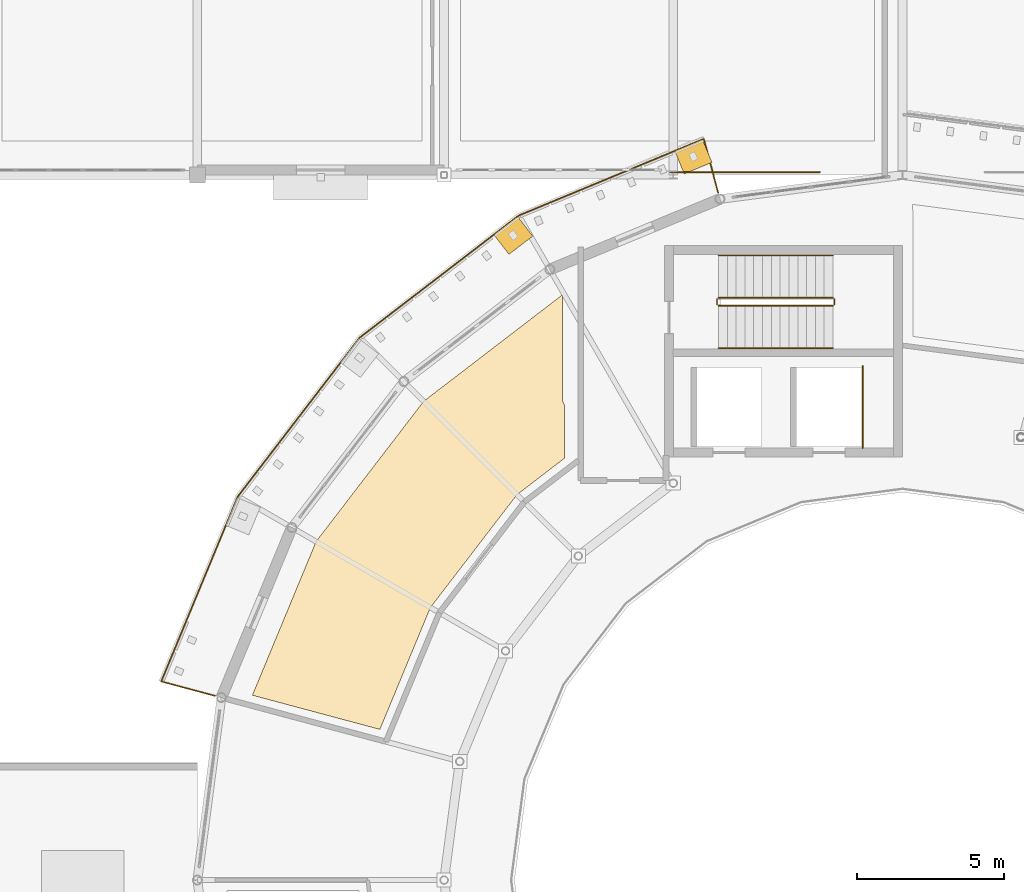
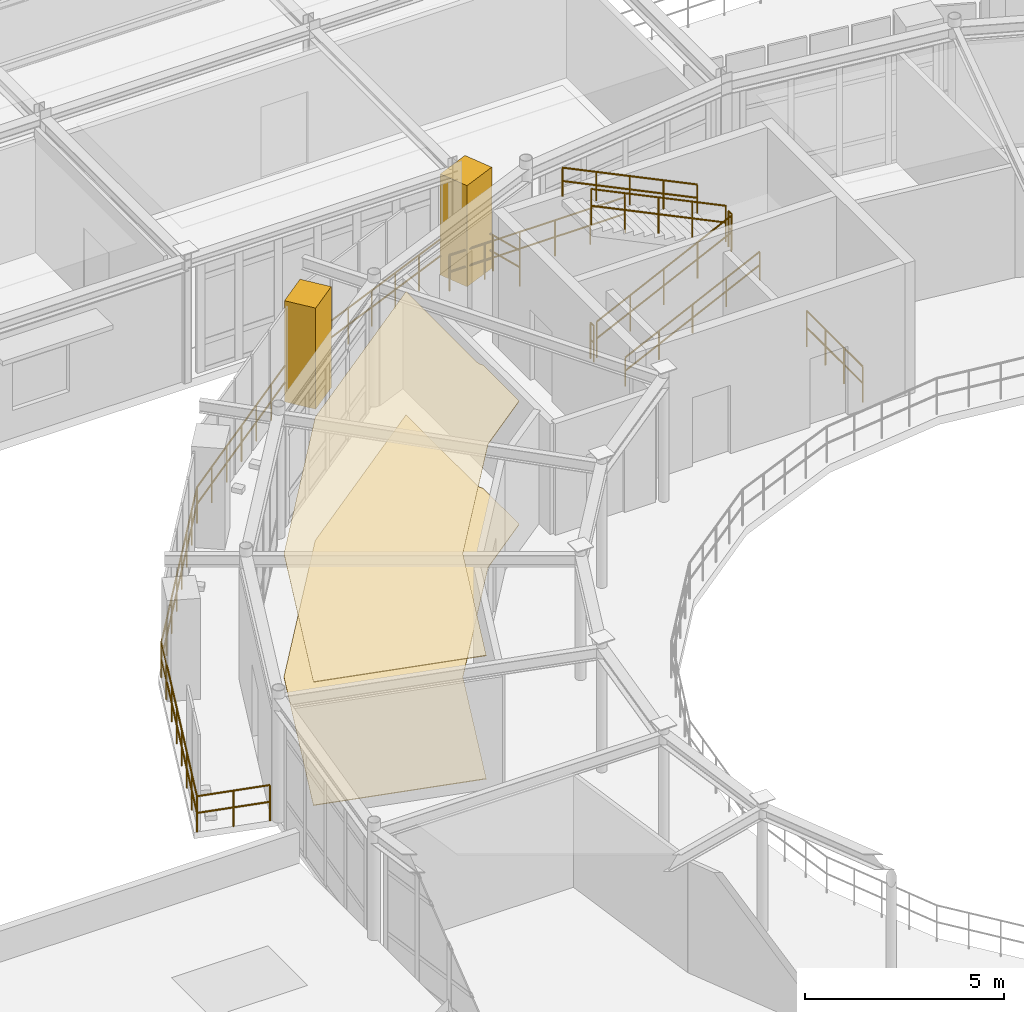
# One storey, part 67 of 70: 9 railings, 2 coverings, 2 shading devices.
"""IFC4 building model written with IfcOpenShell, lengths in metres."""

import ifcopenshell
import ifcopenshell.guid

model = None  # the IFC model being written
_history = None  # IfcOwnerHistory: only IFC2X3 demands one
_inside = {}  # id of a spatial element -> (the spatial element, [elements in it])
_under = {}  # id of a project, library or spatial element -> (it, [spatial elements below it])
_declared = {}  # id of a project -> (the project, [libraries it declares])
_typed = {}  # id of a type object -> (the type object, [elements of that type])
_made_of = {}  # id of a material, layer set ... -> (it, [elements and type objects made of it])


def new_model(schema):
    """Start an empty IFC model of exactly this schema.

    Asked for "IFC4X3", IfcOpenShell would pick the latest addendum, in which some entities
    have other attributes; the version numbers below select the first issue.
    IFC2X3 requires an IfcOwnerHistory on every rooted entity: one is made here for all.
    """
    global model, _history
    if schema == "IFC4X3":
        model = ifcopenshell.file(schema_version=(4, 3, 0, 0))
    else:
        model = ifcopenshell.file(schema=schema)
    _inside.clear()
    _under.clear()
    _declared.clear()
    _typed.clear()
    _made_of.clear()
    _history = None
    if model.schema == "IFC2X3":
        org = make("IfcOrganization", Name="unknown")
        user = make(
            "IfcPersonAndOrganization",
            ThePerson=make("IfcPerson", FamilyName="unknown"),
            TheOrganization=org,
        )
        app = make(
            "IfcApplication",
            ApplicationDeveloper=org,
            Version="unknown",
            ApplicationFullName="unknown",
            ApplicationIdentifier="unknown",
        )
        _history = make(
            "IfcOwnerHistory",
            OwningUser=user,
            OwningApplication=app,
            ChangeAction="ADDED",
            CreationDate=0,
        )
    return model


def make(cls, **values):
    """One entity of the class cls with the attributes given. An attribute that is None is left unset."""
    return model.create_entity(
        cls, **{name: value for name, value in values.items() if value is not None}
    )


def rooted(cls, **values):
    """An entity with a GlobalId (a new one), such as an element, a storey or a relation."""
    return make(cls, GlobalId=ifcopenshell.guid.new(), OwnerHistory=_history, **values)


def si_unit(unit_type, name, prefix=None):
    """IfcSIUnit, for example si_unit("LENGTHUNIT", "METRE", prefix="MILLI")."""
    return make("IfcSIUnit", UnitType=unit_type, Prefix=prefix, Name=name)


def derived_unit(unit_type, elements):
    """IfcDerivedUnit: a product of units, each with its exponent."""
    return make(
        "IfcDerivedUnit",
        Elements=[
            make("IfcDerivedUnitElement", Unit=unit, Exponent=power)
            for unit, power in elements
        ],
        UnitType=unit_type,
    )


def assignment(units):
    """IfcUnitAssignment: the units of a project."""
    return None if units is None else make("IfcUnitAssignment", Units=units)


def point(xyz):
    """IfcCartesianPoint."""
    return None if xyz is None else make("IfcCartesianPoint", Coordinates=xyz)


def direction(xyz):
    """IfcDirection."""
    return None if xyz is None else make("IfcDirection", DirectionRatios=xyz)


def frame(location, z_axis=None, x_axis=None):
    """IfcAxis2Placement3D, a coordinate frame: its origin and axes. An axis left out is left unset."""
    return make(
        "IfcAxis2Placement3D",
        Location=point(location),
        Axis=direction(z_axis),
        RefDirection=direction(x_axis),
    )


def frame_2d(location, x_axis=None):
    """IfcAxis2Placement2D, a coordinate frame in the plane: its origin and x axis."""
    return make(
        "IfcAxis2Placement2D", Location=point(location), RefDirection=direction(x_axis)
    )


def origin():
    """The frame at (0, 0, 0) with its axes left unset."""
    return frame((0.0, 0.0, 0.0))


def origin_2d():
    """The frame at (0, 0) in the plane with its x axis left unset."""
    return frame_2d((0.0, 0.0))


def place(relative_to, where):
    """IfcLocalPlacement: puts the frame where relative to a parent placement (None: the world)."""
    return make(
        "IfcLocalPlacement", PlacementRelTo=relative_to, RelativePlacement=where
    )


def context(
    kind, dimensions, precision=None, world=None, true_north=None, identifier=None
):
    """IfcGeometricRepresentationContext, for example the 3D "Model" context."""
    return make(
        "IfcGeometricRepresentationContext",
        ContextIdentifier=identifier,
        ContextType=kind,
        CoordinateSpaceDimension=dimensions,
        Precision=precision,
        WorldCoordinateSystem=world,
        TrueNorth=true_north,
    )


def subcontext(parent, identifier, kind, view, scale=None):
    """IfcGeometricRepresentationSubContext, for example "Body" below "Model"."""
    return make(
        "IfcGeometricRepresentationSubContext",
        ContextIdentifier=identifier,
        ContextType=kind,
        ParentContext=parent,
        TargetScale=scale,
        TargetView=view,
    )


def project(units=None, contexts=None):
    """IfcProject with its units and contexts."""
    return rooted(
        "IfcProject",
        Name="project",
        RepresentationContexts=contexts,
        UnitsInContext=assignment(units),
    )


def spatial(cls, under=None, at=None, **own):
    """A site, building, storey or space (cls), placed at a placement, below another one or the project."""
    s = rooted(cls, ObjectPlacement=at, **own)
    if under is not None:
        _under.setdefault(under.id(), (under, []))[1].append(s)
    return s


def polyline(points):
    """IfcPolyline through the points."""
    return make("IfcPolyline", Points=[point(p) for p in points])


def profile(cls, at=None, kind="AREA", **sizes):
    """A parametric profile (cls). Its sizes go by their IFC names, for example OverallWidth=200.0."""
    return make(cls, ProfileType=kind, Position=at, **sizes)


def rectangle(**sizes):
    """IfcRectangleProfileDef."""
    return profile("IfcRectangleProfileDef", **sizes)


def circle(**sizes):
    """IfcCircleProfileDef."""
    return profile("IfcCircleProfileDef", **sizes)


def outline(outer, holes=None, kind="AREA"):
    """IfcArbitraryClosedProfileDef: a profile drawn as a closed curve; with holes, ...WithVoids."""
    if holes is None:
        return make("IfcArbitraryClosedProfileDef", ProfileType=kind, OuterCurve=outer)
    return make(
        "IfcArbitraryProfileDefWithVoids",
        ProfileType=kind,
        OuterCurve=outer,
        InnerCurves=holes,
    )


def extrude(swept, where, along, depth):
    """IfcExtrudedAreaSolid: the profile swept, set in the frame where, extruded along a direction by depth."""
    return make(
        "IfcExtrudedAreaSolid",
        SweptArea=swept,
        Position=where,
        ExtrudedDirection=direction(along),
        Depth=depth,
    )


def shape(context_of_items, identifier, shape_type, items):
    """IfcShapeRepresentation: the items that make up one representation, for example the "Body"."""
    return make(
        "IfcShapeRepresentation",
        ContextOfItems=context_of_items,
        RepresentationIdentifier=identifier,
        RepresentationType=shape_type,
        Items=items,
    )


def material(Name=None, Category=None):
    """IfcMaterial."""
    return make("IfcMaterial", Name=Name, Category=Category)


def layer(
    of_material, thickness, ventilated=None, Name=None, Category=None, Priority=None
):
    """IfcMaterialLayer: one layer of a wall or slab, of a material (None: an air gap)."""
    return make(
        "IfcMaterialLayer",
        Material=of_material,
        LayerThickness=thickness,
        IsVentilated=ventilated,
        Name=Name,
        Category=Category,
        Priority=Priority,
    )


def layer_set(layers, Name=None):
    """IfcMaterialLayerSet."""
    return make("IfcMaterialLayerSet", MaterialLayers=layers, LayerSetName=Name)


def made_of(thing, what):
    """Note that an element or type object is made of a material, layer set ...; save() writes the relation."""
    if what is not None:
        _made_of.setdefault(what.id(), (what, []))[1].append(thing)
    return thing


def type_object(cls, material=None, **own):
    """A type object (cls), such as IfcWallType, which elements share."""
    return made_of(rooted(cls, **own), material)


def element(
    cls,
    number,
    at=None,
    inside=None,
    cuts=None,
    type_object=None,
    material=None,
    context=None,
    identifier="Body",
    shape_type=None,
    held_by="IfcProductDefinitionShape",
    body=None,
    shapes=None,
    **own,
):
    """One element of the class cls, such as IfcWall. Its Tag is "e" and its number.

    at: its placement. inside: the storey or other place that contains it. cuts: it is an
    opening in that element (IfcRelVoidsElement). A single representation is given by context,
    identifier, shape_type and body (its items); several are given by shapes. held_by: the class
    of the entity that holds the representations. save() writes the other relations.
    """
    e = rooted(cls, Tag="e%d" % number, ObjectPlacement=at, **own)
    if body is not None:
        shapes = [shape(context, identifier, shape_type, body)]
    if shapes is not None:
        e.Representation = make(held_by, Representations=shapes)
    if inside is not None:
        _inside.setdefault(inside.id(), (inside, []))[1].append(e)
    if cuts is not None:
        rooted(
            "IfcRelVoidsElement", RelatingBuildingElement=cuts, RelatedOpeningElement=e
        )
    if type_object is not None:
        _typed.setdefault(type_object.id(), (type_object, []))[1].append(e)
    return made_of(e, material)


def aggregate(whole, parts):
    """IfcRelAggregates: a whole, such as a stair, and the parts it consists of."""
    return rooted("IfcRelAggregates", RelatingObject=whole, RelatedObjects=parts)


def save(model, path):
    """Write the relations noted so far, then the file.

    IfcRelAggregates (storeys below a building ...), IfcRelContainedInSpatialStructure (elements
    in a storey), IfcRelDefinesByType, IfcRelAssociatesMaterial and IfcRelDeclares: one each for
    every whole, place, type object, material and project.
    """
    for whole, parts in _under.values():
        aggregate(whole, parts)
    for where, things in _inside.values():
        rooted(
            "IfcRelContainedInSpatialStructure",
            RelatedElements=things,
            RelatingStructure=where,
        )
    for kind, things in _typed.values():
        rooted("IfcRelDefinesByType", RelatedObjects=things, RelatingType=kind)
    for what, things in _made_of.values():
        rooted("IfcRelAssociatesMaterial", RelatedObjects=things, RelatingMaterial=what)
    for by, libraries in _declared.values():
        rooted("IfcRelDeclares", RelatingContext=by, RelatedDefinitions=libraries)
    model.write(path)


model = new_model("IFC4")

# Units and contexts
model_context = context("Model", 3, precision=1e-05, world=origin(), true_north=direction((0.0, 1.0)))
body_context = subcontext(model_context, "Body", "Model", "MODEL_VIEW")
ifc_project = project(units=[si_unit("LENGTHUNIT", "METRE"), si_unit("AREAUNIT", "SQUARE_METRE"), si_unit("VOLUMEUNIT", "CUBIC_METRE"), si_unit("PLANEANGLEUNIT", "RADIAN"), si_unit("MASSUNIT", "GRAM", prefix="KILO"), derived_unit("THERMALTRANSMITTANCEUNIT", [(si_unit("POWERUNIT", "WATT"), 1), (si_unit("AREAUNIT", "SQUARE_METRE"), -1), (si_unit("THERMODYNAMICTEMPERATUREUNIT", "KELVIN"), -1)])], contexts=[model_context])

# Site, building, storey
site_placement = place(None, origin())
site = spatial("IfcSite", under=ifc_project, at=site_placement, CompositionType="ELEMENT")
building_placement = place(site_placement, origin())
building = spatial("IfcBuilding", under=site, at=building_placement, Name="Yasenodar Specialist Clinic", CompositionType="ELEMENT")
storey_placement = place(building_placement, frame((0.0, 0.0, 13.199951171875)))
storey = spatial("IfcBuildingStorey", under=building, at=storey_placement, Name="L03", CompositionType="ELEMENT", Elevation=13.199951171875)

# Coverings
ifc_material_1 = material(Name="Hygienic Acoustic Mineral-Fibre Ceiling")
ifc_layer_1 = layer(ifc_material_1, 0.02490234375)
ifc_layer_set_1 = layer_set([ifc_layer_1], Name="Hygienic Acoustic Mineral-Fibre Ceiling")
covering_type_1 = type_object("IfcCoveringType", Name="COV-CEIL-AC", PredefinedType="CEILING", material=ifc_layer_set_1)
covering_1_placement = place(storey_placement, frame((0.0, 0.0, 3.775146484375)))
element("IfcCovering", 1, at=covering_1_placement, inside=storey, type_object=covering_type_1, Name="L03 Ambulatory Cataract Recovery Suite Acoustic Ceiling", PredefinedType="CEILING", context=body_context, shape_type="SweptSolid", body=[
    extrude(outline(polyline([(67.873046875, 71.906005859375), (67.85302734375, 71.882080078125), (64.9609375, 68.113037109375), (64.943115234375, 68.087890625), (64.927978515625, 68.06201171875), (64.9150390625, 68.033935546875), (63.214111328125, 63.927978515625), (58.873046875, 65.091064453125), (61.041015625, 70.322998046875), (64.702880859375, 75.096923828125), (69.429931640625, 78.72412109375), (69.429931640625, 75.179931640625), (69.431884765625, 75.14599609375), (69.43701171875, 75.112060546875), (69.445068359375, 75.077880859375), (69.45703125, 75.0458984375), (69.470947265625, 75.014892578125), (69.489013671875, 74.986083984375), (69.5, 74.970947265625), (69.5, 73.160888671875), (67.91796875, 71.947021484375), (67.89404296875, 71.927001953125), (67.873046875, 71.906005859375)])), origin(), (0.0, 0.0, 1.0), 0.02490234375),
])
ifc_material_2 = material(Name="Seamless Epoxy Terrazzo Clinical Flooring")
ifc_layer_2 = layer(ifc_material_2, 0.02001953125)
ifc_layer_set_2 = layer_set([ifc_layer_2], Name="Seamless Epoxy Terrazzo Clinical Flooring")
covering_type_2 = type_object("IfcCoveringType", Name="COV-FLR-TERR", PredefinedType="FLOORING", material=ifc_layer_set_2)
covering_2_placement = place(storey_placement, origin())
element("IfcCovering", 2, at=covering_2_placement, inside=storey, type_object=covering_type_2, Name="L03 Ambulatory Cataract Recovery Suite Terrazzo Flooring", PredefinedType="FLOORING", context=body_context, shape_type="SweptSolid", body=[
    extrude(outline(polyline([(67.873046875, 71.906005859375), (67.85302734375, 71.882080078125), (64.9609375, 68.113037109375), (64.943115234375, 68.087890625), (64.927978515625, 68.06201171875), (64.9150390625, 68.033935546875), (63.214111328125, 63.927978515625), (58.873046875, 65.091064453125), (61.041015625, 70.322998046875), (64.702880859375, 75.096923828125), (69.429931640625, 78.72412109375), (69.429931640625, 75.179931640625), (69.431884765625, 75.14599609375), (69.43701171875, 75.112060546875), (69.445068359375, 75.077880859375), (69.45703125, 75.0458984375), (69.470947265625, 75.014892578125), (69.489013671875, 74.986083984375), (69.5, 74.970947265625), (69.5, 73.160888671875), (67.91796875, 71.947021484375), (67.89404296875, 71.927001953125), (67.873046875, 71.906005859375)])), origin(), (0.0, 0.0, 1.0), 0.02001953125),
])

# Railings
ifc_material_3 = material(Name="Bronze Anodized Aluminium and Larch Balustrade", Category="aluminium")
railing_type_1 = type_object("IfcRailingType", Name="RL-BAL-1120", PredefinedType="BALUSTRADE", material=ifc_material_3)
railing_1_placement = place(storey_placement, frame((74.7314453125, 82.194580078125, 0.0)))
element("IfcRailing", 3, at=railing_1_placement, inside=storey, type_object=railing_type_1, Name="L03 Drum V1 Balcony Balustrade 2", PredefinedType="BALUSTRADE", context=body_context, shape_type="SweptSolid", body=[
    extrude(circle(Radius=0.02392578125, at=origin_2d()), frame((0.0, 0.0, 1.09619140625), z_axis=(-0.258885930111, 0.965907902023, 0.0), x_axis=(-0.965907902023, -0.258885930111, 0.0)), (0.0, 0.0, 1.0), 1.900146484375),
    extrude(circle(Radius=0.02392578125, at=origin_2d()), frame((0.0, 0.0, 0.58251953125), z_axis=(-0.258885930111, 0.965907902023, 0.0), x_axis=(-0.965907902023, -0.258885930111, 0.0)), (0.0, 0.0, 1.0), 1.900146484375),
    extrude(circle(Radius=0.02392578125, at=origin_2d()), frame((-0.491943359375, 1.83544921875, 1.09619140625), z_axis=(-0.923878931839, -0.382684882513, 0.0), x_axis=(0.382684882513, -0.923878931839, 0.0)), (0.0, 0.0, 1.0), 6.818603515625),
    extrude(circle(Radius=0.02392578125, at=origin_2d()), frame((-0.491943359375, 1.83544921875, 0.58251953125), z_axis=(-0.923878931839, -0.382684882513, 0.0), x_axis=(0.382684882513, -0.923878931839, 0.0)), (0.0, 0.0, 1.0), 6.818603515625),
    extrude(circle(Radius=0.02392578125, at=origin_2d()), frame((-6.79150390625, -0.77392578125, 1.09619140625), z_axis=(-0.793330238247, -0.608791534996, 0.0), x_axis=(0.608791534996, -0.793330238247, 0.0)), (0.0, 0.0, 1.0), 6.818603515625),
    extrude(circle(Radius=0.02392578125, at=origin_2d()), frame((-6.79150390625, -0.77392578125, 0.58251953125), z_axis=(-0.793330238247, -0.608791534996, 0.0), x_axis=(0.608791534996, -0.793330238247, 0.0)), (0.0, 0.0, 1.0), 6.818603515625),
    extrude(circle(Radius=0.02392578125, at=origin_2d()), frame((-12.200927734375, -4.925048828125, 1.09619140625), z_axis=(-0.608791534996, -0.793330238247, 0.0), x_axis=(0.793330238247, -0.608791534996, 0.0)), (0.0, 0.0, 1.0), 6.818603515625),
    extrude(circle(Radius=0.02392578125, at=origin_2d()), frame((-12.200927734375, -4.925048828125, 0.58251953125), z_axis=(-0.608791534996, -0.793330238247, 0.0), x_axis=(0.793330238247, -0.608791534996, 0.0)), (0.0, 0.0, 1.0), 6.818603515625),
    extrude(circle(Radius=0.02392578125, at=origin_2d()), frame((-16.35205078125, -10.33447265625, 1.09619140625), z_axis=(-0.382672223843, -0.923884175154, 0.0), x_axis=(0.923884175154, -0.382672223843, 0.0)), (0.0, 0.0, 1.0), 6.81884765625),
    extrude(circle(Radius=0.02392578125, at=origin_2d()), frame((-16.35205078125, -10.33447265625, 0.58251953125), z_axis=(-0.382672223843, -0.923884175154, 0.0), x_axis=(0.923884175154, -0.382672223843, 0.0)), (0.0, 0.0, 1.0), 6.81884765625),
    extrude(circle(Radius=0.02392578125, at=origin_2d()), frame((-18.96142578125, -16.63427734375, 1.09619140625), z_axis=(0.96593141835, -0.258798174346, 0.0), x_axis=(0.258798174346, 0.96593141835, 0.0)), (0.0, 0.0, 1.0), 1.89990234375),
    extrude(circle(Radius=0.02392578125, at=origin_2d()), frame((-18.96142578125, -16.63427734375, 0.58251953125), z_axis=(0.96593141835, -0.258798174346, 0.0), x_axis=(0.258798174346, 0.96593141835, 0.0)), (0.0, 0.0, 1.0), 1.89990234375),
    extrude(circle(Radius=0.02099609375, at=origin_2d()), origin(), (0.0, 0.0, 1.0), 1.072021484375),
    extrude(circle(Radius=0.02099609375, at=origin_2d()), frame((-0.24609375, 0.917724609375, 0.0)), (0.0, 0.0, 1.0), 1.072021484375),
    extrude(circle(Radius=0.02099609375, at=origin_2d()), frame((-0.491943359375, 1.83544921875, 0.0)), (0.0, 0.0, 1.0), 1.072021484375),
    extrude(circle(Radius=0.02099609375, at=origin_2d()), frame((-1.391845703125, 1.462646484375, 0.0)), (0.0, 0.0, 1.0), 1.072021484375),
    extrude(circle(Radius=0.02099609375, at=origin_2d()), frame((-2.291748046875, 1.08984375, 0.0)), (0.0, 0.0, 1.0), 1.072021484375),
    extrude(circle(Radius=0.02099609375, at=origin_2d()), frame((-3.191650390625, 0.717041015625, 0.0)), (0.0, 0.0, 1.0), 1.072021484375),
    extrude(circle(Radius=0.02099609375, at=origin_2d()), frame((-4.091796875, 0.344482421875, 0.0)), (0.0, 0.0, 1.0), 1.072021484375),
    extrude(circle(Radius=0.02099609375, at=origin_2d()), frame((-4.99169921875, -0.0283203125, 0.0)), (0.0, 0.0, 1.0), 1.072021484375),
    extrude(circle(Radius=0.02099609375, at=origin_2d()), frame((-5.8916015625, -0.401123046875, 0.0)), (0.0, 0.0, 1.0), 1.072021484375),
    extrude(circle(Radius=0.02099609375, at=origin_2d()), frame((-6.79150390625, -0.77392578125, 0.0)), (0.0, 0.0, 1.0), 1.072021484375),
    extrude(circle(Radius=0.02099609375, at=origin_2d()), frame((-7.564208984375, -1.366943359375, 0.0)), (0.0, 0.0, 1.0), 1.072021484375),
    extrude(circle(Radius=0.02099609375, at=origin_2d()), frame((-8.337158203125, -1.9599609375, 0.0)), (0.0, 0.0, 1.0), 1.072021484375),
    extrude(circle(Radius=0.02099609375, at=origin_2d()), frame((-9.10986328125, -2.552978515625, 0.0)), (0.0, 0.0, 1.0), 1.072021484375),
    extrude(circle(Radius=0.02099609375, at=origin_2d()), frame((-9.882568359375, -3.14599609375, 0.0)), (0.0, 0.0, 1.0), 1.072021484375),
    extrude(circle(Radius=0.02099609375, at=origin_2d()), frame((-10.6552734375, -3.739013671875, 0.0)), (0.0, 0.0, 1.0), 1.072021484375),
    extrude(circle(Radius=0.02099609375, at=origin_2d()), frame((-11.42822265625, -4.33203125, 0.0)), (0.0, 0.0, 1.0), 1.072021484375),
    extrude(circle(Radius=0.02099609375, at=origin_2d()), frame((-12.200927734375, -4.925048828125, 0.0)), (0.0, 0.0, 1.0), 1.072021484375),
    extrude(circle(Radius=0.02099609375, at=origin_2d()), frame((-12.7939453125, -5.69775390625, 0.0)), (0.0, 0.0, 1.0), 1.072021484375),
    extrude(circle(Radius=0.02099609375, at=origin_2d()), frame((-13.386962890625, -6.470703125, 0.0)), (0.0, 0.0, 1.0), 1.072021484375),
    extrude(circle(Radius=0.02099609375, at=origin_2d()), frame((-13.97998046875, -7.243408203125, 0.0)), (0.0, 0.0, 1.0), 1.072021484375),
    extrude(circle(Radius=0.02099609375, at=origin_2d()), frame((-14.572998046875, -8.01611328125, 0.0)), (0.0, 0.0, 1.0), 1.072021484375),
    extrude(circle(Radius=0.02099609375, at=origin_2d()), frame((-15.166015625, -8.788818359375, 0.0)), (0.0, 0.0, 1.0), 1.072021484375),
    extrude(circle(Radius=0.02099609375, at=origin_2d()), frame((-15.759033203125, -9.561767578125, 0.0)), (0.0, 0.0, 1.0), 1.072021484375),
    extrude(circle(Radius=0.02099609375, at=origin_2d()), frame((-16.35205078125, -10.33447265625, 0.0)), (0.0, 0.0, 1.0), 1.072021484375),
    extrude(circle(Radius=0.02099609375, at=origin_2d()), frame((-16.724853515625, -11.234375, 0.0)), (0.0, 0.0, 1.0), 1.072021484375),
    extrude(circle(Radius=0.02099609375, at=origin_2d()), frame((-17.09765625, -12.134521484375, 0.0)), (0.0, 0.0, 1.0), 1.072021484375),
    extrude(circle(Radius=0.02099609375, at=origin_2d()), frame((-17.470458984375, -13.034423828125, 0.0)), (0.0, 0.0, 1.0), 1.072021484375),
    extrude(circle(Radius=0.02099609375, at=origin_2d()), frame((-17.843017578125, -13.934326171875, 0.0)), (0.0, 0.0, 1.0), 1.072021484375),
    extrude(circle(Radius=0.02099609375, at=origin_2d()), frame((-18.2158203125, -14.834228515625, 0.0)), (0.0, 0.0, 1.0), 1.072021484375),
    extrude(circle(Radius=0.02099609375, at=origin_2d()), frame((-18.588623046875, -15.734375, 0.0)), (0.0, 0.0, 1.0), 1.072021484375),
    extrude(circle(Radius=0.02099609375, at=origin_2d()), frame((-18.96142578125, -16.63427734375, 0.0)), (0.0, 0.0, 1.0), 1.072021484375),
    extrude(circle(Radius=0.02099609375, at=origin_2d()), frame((-18.0439453125, -16.880126953125, 0.0)), (0.0, 0.0, 1.0), 1.072021484375),
    extrude(circle(Radius=0.02099609375, at=origin_2d()), frame((-17.126220703125, -17.1259765625, 0.0)), (0.0, 0.0, 1.0), 1.072021484375),
])
ifc_material_4 = material(Name="Steel S355 Painted Guardrail", Category="steel")
railing_type_2 = type_object("IfcRailingType", Name="RL-GRD-1120", PredefinedType="GUARDRAIL", material=ifc_material_4)
railing_2_placement = place(storey_placement, frame((79.64990234375, 73.5, 0.0)))
element("IfcRailing", 4, at=railing_2_placement, inside=storey, type_object=railing_type_2, Name="L03 Core C3 Lift LF-07 Shaft Guardrail", PredefinedType="GUARDRAIL", context=body_context, shape_type="SweptSolid", body=[
    extrude(circle(Radius=0.02392578125, at=origin_2d()), frame((0.0, 0.0, 1.09619140625), z_axis=(0.0, 1.0, 0.0), x_axis=(-1.0, 0.0, 0.0)), (0.0, 0.0, 1.0), 2.800048828125),
    extrude(circle(Radius=0.02392578125, at=origin_2d()), frame((0.0, 0.0, 0.58251953125), z_axis=(0.0, 1.0, 0.0), x_axis=(-1.0, 0.0, 0.0)), (0.0, 0.0, 1.0), 2.800048828125),
    extrude(circle(Radius=0.02099609375, at=origin_2d()), origin(), (0.0, 0.0, 1.0), 1.072021484375),
    extrude(circle(Radius=0.02099609375, at=origin_2d()), frame((0.0, 0.933349609375, 0.0)), (0.0, 0.0, 1.0), 1.072021484375),
    extrude(circle(Radius=0.02099609375, at=origin_2d()), frame((0.0, 1.86669921875, 0.0)), (0.0, 0.0, 1.0), 1.072021484375),
    extrude(circle(Radius=0.02099609375, at=origin_2d()), frame((0.0, 2.800048828125, 0.0)), (0.0, 0.0, 1.0), 1.072021484375),
])
railing_3_placement = place(storey_placement, frame((73.10009765625, 82.89990234375, 0.0)))
element("IfcRailing", 5, at=railing_3_placement, inside=storey, type_object=railing_type_2, Name="L03 V5 Drum Junction West Guardrail", PredefinedType="GUARDRAIL", context=body_context, shape_type="SweptSolid", body=[
    extrude(circle(Radius=0.02392578125, at=origin_2d()), frame((0.0, 0.0, 1.09619140625), z_axis=(1.0, 0.0, 0.0), x_axis=(0.0, 1.0, 0.0)), (0.0, 0.0, 1.0), 5.099853515625),
    extrude(circle(Radius=0.02392578125, at=origin_2d()), frame((0.0, 0.0, 0.58251953125), z_axis=(1.0, 0.0, 0.0), x_axis=(0.0, 1.0, 0.0)), (0.0, 0.0, 1.0), 5.099853515625),
    extrude(circle(Radius=0.02099609375, at=origin_2d()), origin(), (0.0, 0.0, 1.0), 1.072021484375),
    extrude(circle(Radius=0.02099609375, at=origin_2d()), frame((1.02001953125, 0.0, 0.0)), (0.0, 0.0, 1.0), 1.072021484375),
    extrude(circle(Radius=0.02099609375, at=origin_2d()), frame((2.0400390625, 0.0, 0.0)), (0.0, 0.0, 1.0), 1.072021484375),
    extrude(circle(Radius=0.02099609375, at=origin_2d()), frame((3.059814453125, 0.0, 0.0)), (0.0, 0.0, 1.0), 1.072021484375),
    extrude(circle(Radius=0.02099609375, at=origin_2d()), frame((4.079833984375, 0.0, 0.0)), (0.0, 0.0, 1.0), 1.072021484375),
    extrude(circle(Radius=0.02099609375, at=origin_2d()), frame((5.099853515625, 0.0, 0.0)), (0.0, 0.0, 1.0), 1.072021484375),
])
ifc_material_5 = material(Name="Steel S355 Painted Stair Guardrail", Category="steel")
railing_type_3 = type_object("IfcRailingType", Name="RL-ST-GRD", PredefinedType="GUARDRAIL", material=ifc_material_5)
railing_4_placement = place(storey_placement, frame((74.739990234375, 78.35009765625, 0.144775390625)))
element("IfcRailing", 6, at=railing_4_placement, inside=storey, type_object=railing_type_3, Name="L03 ST-03 stair guard 1", PredefinedType="GUARDRAIL", context=body_context, shape_type="SweptSolid", body=[
    extrude(circle(Radius=0.02392578125, at=origin_2d()), frame((0.0, 0.0, 1.09619140625), z_axis=(0.900763166376, 0.0, 0.434310623978), x_axis=(0.0, 1.0, 0.0)), (0.0, 0.0, 1.0), 4.32958984375),
    extrude(circle(Radius=0.02392578125, at=origin_2d()), frame((0.0, 0.0, 0.58251953125), z_axis=(0.900763166376, 0.0, 0.434310623978), x_axis=(0.0, 1.0, 0.0)), (0.0, 0.0, 1.0), 4.32958984375),
    extrude(circle(Radius=0.02099609375, at=origin_2d()), origin(), (0.0, 0.0, 1.0), 1.072021484375),
    extrude(circle(Radius=0.02099609375, at=origin_2d()), frame((0.97509765625, 0.0, 0.47021484375)), (0.0, 0.0, 1.0), 1.072021484375),
    extrude(circle(Radius=0.02099609375, at=origin_2d()), frame((1.949951171875, 0.0, 0.940185546875)), (0.0, 0.0, 1.0), 1.072021484375),
    extrude(circle(Radius=0.02099609375, at=origin_2d()), frame((2.9248046875, 0.0, 1.41015625)), (0.0, 0.0, 1.0), 1.072021484375),
    extrude(circle(Radius=0.02099609375, at=origin_2d()), frame((3.89990234375, 0.0, 1.88037109375)), (0.0, 0.0, 1.0), 1.072021484375),
])
railing_5_placement = place(storey_placement, frame((78.68994140625, 78.39990234375, 2.025146484375)))
element("IfcRailing", 7, at=railing_5_placement, inside=storey, type_object=railing_type_3, Name="L03 ST-03 stair guard 2", PredefinedType="GUARDRAIL", context=body_context, shape_type="SweptSolid", body=[
    extrude(circle(Radius=0.02392578125, at=origin_2d()), frame((0.0, 0.0, 1.09619140625), z_axis=(0.0, 1.0, 0.0), x_axis=(-1.0, 0.0, 0.0)), (0.0, 0.0, 1.0), 0.170166015625),
    extrude(circle(Radius=0.02392578125, at=origin_2d()), frame((0.0, 0.0, 0.58251953125), z_axis=(0.0, 1.0, 0.0), x_axis=(-1.0, 0.0, 0.0)), (0.0, 0.0, 1.0), 0.170166015625),
    extrude(circle(Radius=0.02099609375, at=origin_2d()), origin(), (0.0, 0.0, 1.0), 1.072021484375),
    extrude(circle(Radius=0.02099609375, at=origin_2d()), frame((0.0, 0.170166015625, 0.0)), (0.0, 0.0, 1.0), 1.072021484375),
])
railing_6_placement = place(storey_placement, frame((78.639892578125, 78.6201171875, 2.169677734375)))
element("IfcRailing", 8, at=railing_6_placement, inside=storey, type_object=railing_type_3, Name="L03 ST-03 stair guard 3", PredefinedType="GUARDRAIL", context=body_context, shape_type="SweptSolid", body=[
    extrude(circle(Radius=0.02392578125, at=origin_2d()), frame((0.0, 0.0, 1.09619140625), z_axis=(-0.900763166376, 0.0, 0.434310623978), x_axis=(0.0, -1.0, 0.0)), (0.0, 0.0, 1.0), 4.32958984375),
    extrude(circle(Radius=0.02392578125, at=origin_2d()), frame((0.0, 0.0, 0.58251953125), z_axis=(-0.900763166376, 0.0, 0.434310623978), x_axis=(0.0, -1.0, 0.0)), (0.0, 0.0, 1.0), 4.32958984375),
    extrude(circle(Radius=0.02099609375, at=origin_2d()), origin(), (0.0, 0.0, 1.0), 1.072021484375),
    extrude(circle(Radius=0.02099609375, at=origin_2d()), frame((-0.97509765625, 0.0, 0.47021484375)), (0.0, 0.0, 1.0), 1.072021484375),
    extrude(circle(Radius=0.02099609375, at=origin_2d()), frame((-1.949951171875, 0.0, 0.940185546875)), (0.0, 0.0, 1.0), 1.072021484375),
    extrude(circle(Radius=0.02099609375, at=origin_2d()), frame((-2.9248046875, 0.0, 1.41015625)), (0.0, 0.0, 1.0), 1.072021484375),
    extrude(circle(Radius=0.02099609375, at=origin_2d()), frame((-3.89990234375, 0.0, 1.88037109375)), (0.0, 0.0, 1.0), 1.072021484375),
])
railing_7_placement = place(storey_placement, frame((74.68994140625, 78.39990234375, 0.0)))
element("IfcRailing", 9, at=railing_7_placement, inside=storey, type_object=railing_type_3, Name="L03 ST-03 stair guard 4", PredefinedType="GUARDRAIL", context=body_context, shape_type="SweptSolid", body=[
    extrude(circle(Radius=0.02392578125, at=origin_2d()), frame((0.0, 0.0, 1.09619140625), z_axis=(0.0, 1.0, 0.0), x_axis=(-1.0, 0.0, 0.0)), (0.0, 0.0, 1.0), 0.170166015625),
    extrude(circle(Radius=0.02392578125, at=origin_2d()), frame((0.0, 0.0, 0.58251953125), z_axis=(0.0, 1.0, 0.0), x_axis=(-1.0, 0.0, 0.0)), (0.0, 0.0, 1.0), 0.170166015625),
    extrude(circle(Radius=0.02099609375, at=origin_2d()), origin(), (0.0, 0.0, 1.0), 1.072021484375),
    extrude(circle(Radius=0.02099609375, at=origin_2d()), frame((0.0, 0.170166015625, 0.0)), (0.0, 0.0, 1.0), 1.072021484375),
])
ifc_material_6 = material(Name="Brushed Stainless Steel Handrail", Category="steel")
railing_type_4 = type_object("IfcRailingType", Name="RL-ST-HND", PredefinedType="HANDRAIL", material=ifc_material_6)
railing_8_placement = place(storey_placement, frame((74.739990234375, 76.909912109375, 0.144775390625)))
element("IfcRailing", 10, at=railing_8_placement, inside=storey, type_object=railing_type_4, Name="L03 ST-03 stair handrail 1", PredefinedType="HANDRAIL", context=body_context, shape_type="SweptSolid", body=[
    extrude(circle(Radius=0.02392578125, at=origin_2d()), frame((0.0, 0.0, 0.8759765625), z_axis=(0.900763166376, 0.0, 0.434310623978), x_axis=(0.0, 1.0, 0.0)), (0.0, 0.0, 1.0), 4.32958984375),
    extrude(circle(Radius=0.02392578125, at=origin_2d()), frame((0.0, 0.0, 0.468017578125), z_axis=(0.900763166376, 0.0, 0.434310623978), x_axis=(0.0, 1.0, 0.0)), (0.0, 0.0, 1.0), 4.32958984375),
    extrude(circle(Radius=0.02099609375, at=origin_2d()), origin(), (0.0, 0.0, 1.0), 0.851806640625),
    extrude(circle(Radius=0.02099609375, at=origin_2d()), frame((0.97509765625, 0.0, 0.47021484375)), (0.0, 0.0, 1.0), 0.851806640625),
    extrude(circle(Radius=0.02099609375, at=origin_2d()), frame((1.949951171875, 0.0, 0.940185546875)), (0.0, 0.0, 1.0), 0.851806640625),
    extrude(circle(Radius=0.02099609375, at=origin_2d()), frame((2.9248046875, 0.0, 1.41015625)), (0.0, 0.0, 1.0), 0.851806640625),
    extrude(circle(Radius=0.02099609375, at=origin_2d()), frame((3.89990234375, 0.0, 1.88037109375)), (0.0, 0.0, 1.0), 0.851806640625),
])
railing_9_placement = place(storey_placement, frame((78.639892578125, 80.06005859375, 2.169677734375)))
element("IfcRailing", 11, at=railing_9_placement, inside=storey, type_object=railing_type_4, Name="L03 ST-03 stair handrail 2", PredefinedType="HANDRAIL", context=body_context, shape_type="SweptSolid", body=[
    extrude(circle(Radius=0.02392578125, at=origin_2d()), frame((0.0, 0.0, 0.8759765625), z_axis=(-0.900763166376, 0.0, 0.434310623978), x_axis=(0.0, -1.0, 0.0)), (0.0, 0.0, 1.0), 4.32958984375),
    extrude(circle(Radius=0.02392578125, at=origin_2d()), frame((0.0, 0.0, 0.468017578125), z_axis=(-0.900763166376, 0.0, 0.434310623978), x_axis=(0.0, -1.0, 0.0)), (0.0, 0.0, 1.0), 4.32958984375),
    extrude(circle(Radius=0.02099609375, at=origin_2d()), origin(), (0.0, 0.0, 1.0), 0.851806640625),
    extrude(circle(Radius=0.02099609375, at=origin_2d()), frame((-0.97509765625, 0.0, 0.47021484375)), (0.0, 0.0, 1.0), 0.851806640625),
    extrude(circle(Radius=0.02099609375, at=origin_2d()), frame((-1.949951171875, 0.0, 0.940185546875)), (0.0, 0.0, 1.0), 0.851806640625),
    extrude(circle(Radius=0.02099609375, at=origin_2d()), frame((-2.9248046875, 0.0, 1.41015625)), (0.0, 0.0, 1.0), 0.851806640625),
    extrude(circle(Radius=0.02099609375, at=origin_2d()), frame((-3.89990234375, 0.0, 1.88037109375)), (0.0, 0.0, 1.0), 0.851806640625),
])

# Shading devices
ifc_material_7 = material(Name="Thermally Modified Larch and Bronze Girih Jali Shutter")
shading_device_type = type_object("IfcShadingDeviceType", Name="SHD-JALI-850", PredefinedType="SHUTTER", material=ifc_material_7)
for number, where, z_axis, x_axis, name in (
    (12, (73.8837890625, 83.42724609375, -0.0048828125), (0.0, 0.0, 1.0), (-0.923878192594, -0.382686667195, 0.0), "L03 Mughal Girih Jali Sliding Shutter Frame 0250"),
    (13, (67.752197265625, 80.74609375, -0.0048828125), (0.0, 0.0, 1.0), (-0.793351200869, -0.608764217148, 0.0), "L03 Mughal Girih Jali Sliding Shutter Frame 0256"),
):
    element("IfcShadingDevice", number, at=place(storey_placement, frame(where, z_axis=z_axis, x_axis=x_axis)), inside=storey, type_object=shading_device_type, Name=name, PredefinedType="SHUTTER", context=body_context, shape_type="SweptSolid", body=[
        extrude(rectangle(XDim=1.02001953125, YDim=0.85009765625, at=origin_2d()), origin(), (0.0, 0.0, 1.0), 3.10009765625),
    ])

save(model, "model.ifc")
